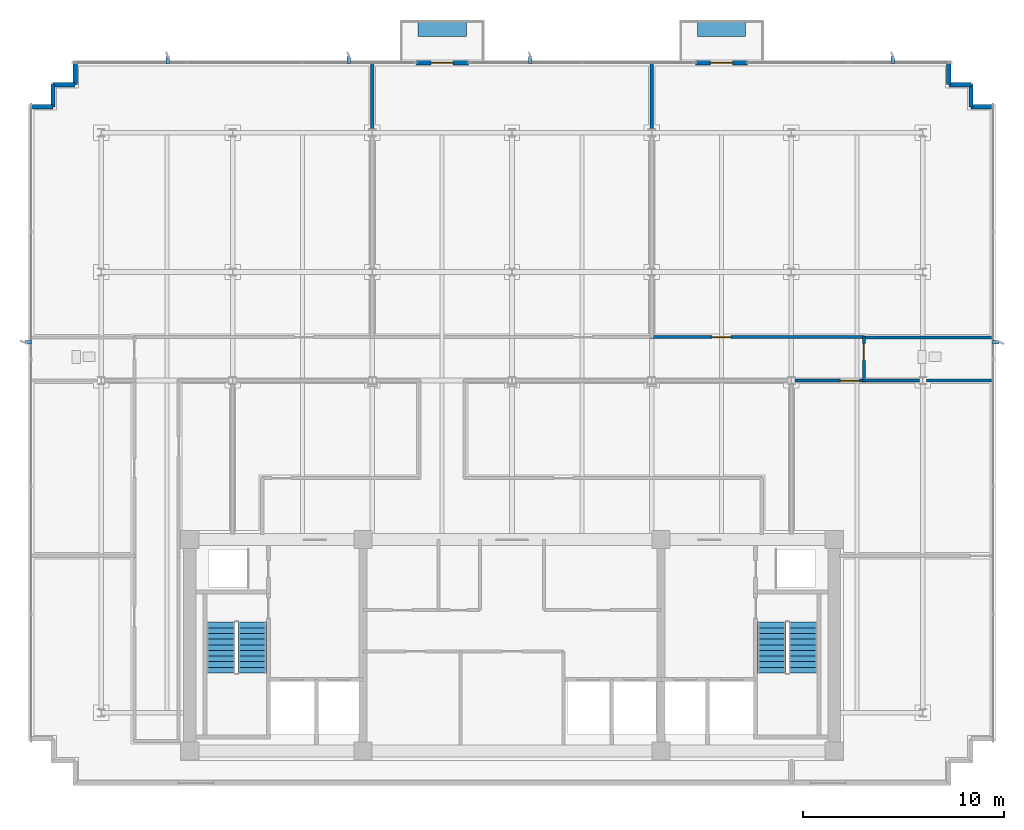
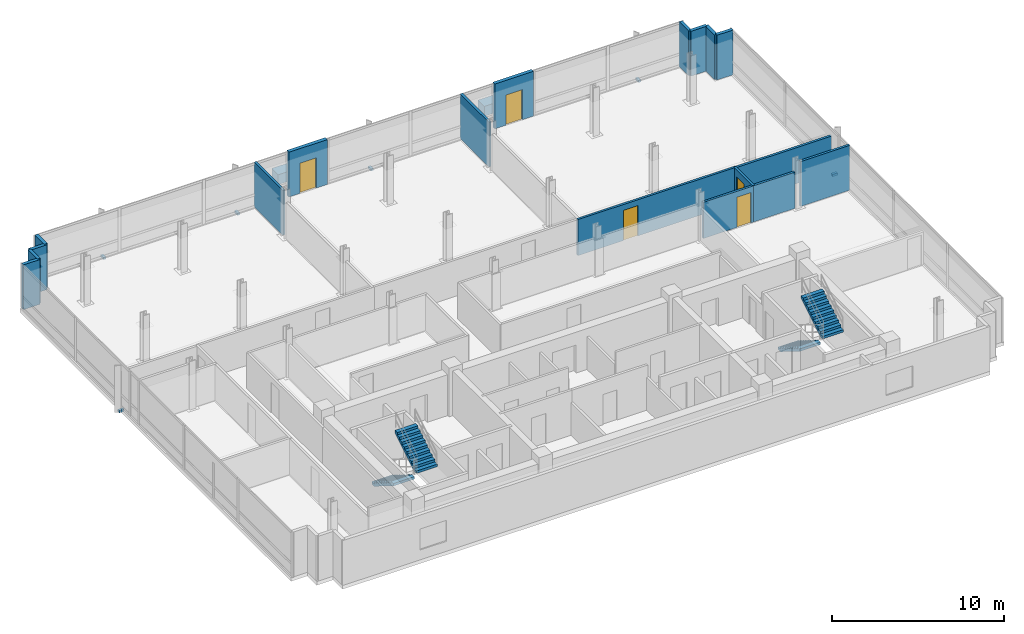
# One storey, part 10 of 15: 18 walls, 8 discrete accessories, 5 doors, 4 stair flights, 5 openings, 2 elements without a shape of their own.
"""IFC4 building model written with IfcOpenShell, lengths in metres."""

from ifc_helpers import new_model, si_unit, direction, frame, frame_2d, origin, origin_2d, place, context, subcontext, project, spatial, polyline, rectangle, outline, extrude, material, layer, layer_set, type_object, element, fill, aggregate, save


model = new_model("IFC4")

# Units and contexts
model_context = context("Model", 3, precision=1e-05, world=origin(), true_north=direction((0.0, 1.0)))
body_context = subcontext(model_context, "Body", "Model", "MODEL_VIEW")
ifc_project = project(units=[si_unit("LENGTHUNIT", "METRE"), si_unit("AREAUNIT", "SQUARE_METRE"), si_unit("VOLUMEUNIT", "CUBIC_METRE"), si_unit("PLANEANGLEUNIT", "RADIAN"), si_unit("MASSUNIT", "GRAM", prefix="KILO")], contexts=[model_context])

# Site, building, storey
site_placement = place(None, origin())
site = spatial("IfcSite", under=ifc_project, at=site_placement, CompositionType="ELEMENT")
building_placement = place(site_placement, origin())
building = spatial("IfcBuilding", under=site, at=building_placement, Name="Solmavex Isthmus Hotel", CompositionType="ELEMENT")
storey_placement = place(building_placement, frame((0.0, 0.0, 273.0)))
storey = spatial("IfcBuildingStorey", under=building, at=storey_placement, Name="L74", CompositionType="ELEMENT", Elevation=273.0)

# Wall, opening, door
ifc_material_1 = material(Name="Precast Concrete C40/50", Category="concrete")
ifc_layer_1 = layer(ifc_material_1, 0.25)
ifc_layer_set_1 = layer_set([ifc_layer_1], Name="Precast Concrete C40/50")
wall_type_1 = type_object("IfcWallType", Name="EW-TWR-250", PredefinedType="STANDARD", material=ifc_layer_set_1)
wall_1_placement = place(storey_placement, frame((-4.76806640625, 21.179931640625, 0.0), z_axis=(0.0, 0.0, 1.0), x_axis=(1.0, 0.0, 0.0)))
wall_1 = element("IfcWall", 1, at=wall_1_placement, inside=storey, type_object=wall_type_1, Name="Exterior Balcony Door Wall L74-2", PredefinedType="STANDARD", context=body_context, shape_type="SweptSolid", body=[
    extrude(rectangle(XDim=2.60009765625, YDim=0.239990234375, at=frame_2d((1.300048828125, 0.0))), origin(), (0.0, 0.0, 1.0), 3.18994140625),
])
opening_1_placement = place(wall_1_placement, frame((0.75, 0.0, 0.0)))
opening_1 = element("IfcOpeningElement", 2, at=opening_1_placement, cuts=wall_1, Name="Opening ED-02", PredefinedType="OPENING", context=body_context, shape_type="SweptSolid", body=[
    extrude(rectangle(XDim=1.10009765625, YDim=2.14990234375, at=frame_2d((0.550048828125, 1.074951171875))), frame((0.0, 0.1298828125, 0.0), z_axis=(0.0, -1.0, 0.0), x_axis=(1.0, 0.0, 0.0)), (0.0, 0.0, 1.0), 0.260009765625),
])
ifc_material_2 = material(Name="Aluminium alloy 6063-T6", Category="aluminium")
door_type_1 = type_object("IfcDoorType", Name="EDR-BALC-1100", OperationType="NOTDEFINED", PredefinedType="DOOR", material=ifc_material_2)
door_1_placement = place(opening_1_placement, origin())
door_1 = element("IfcDoor", 3, at=door_1_placement, inside=storey, type_object=door_type_1, Name="Balcony & Terrace Glazed Door L74-2", OperationType="SINGLE_SWING_RIGHT", OverallHeight=2.14990234375, OverallWidth=1.10009765625, PredefinedType="DOOR", context=body_context, shape_type="SweptSolid", body=[
    extrude(rectangle(XDim=1.10009765625, YDim=2.14990234375, at=frame_2d((0.550048828125, 1.074951171875))), frame((0.0, 0.02490234375, 0.0), z_axis=(0.0, -1.0, 0.0), x_axis=(1.0, 0.0, 0.0)), (0.0, 0.0, 1.0), 0.050048828125),
])
fill(opening_1, door_1)

wall_2_placement = place(storey_placement, frame((9.10400390625, 21.179931640625, 0.0), z_axis=(0.0, 0.0, 1.0), x_axis=(1.0, 0.0, 0.0)))
wall_2 = element("IfcWall", 4, at=wall_2_placement, inside=storey, type_object=wall_type_1, Name="Exterior Balcony Door Wall L74-3", PredefinedType="STANDARD", context=body_context, shape_type="SweptSolid", body=[
    extrude(rectangle(XDim=2.60009765625, YDim=0.239990234375, at=frame_2d((1.300048828125, 0.0))), origin(), (0.0, 0.0, 1.0), 3.18994140625),
])
opening_2_placement = place(wall_2_placement, frame((0.75, 0.0, 0.0)))
opening_2 = element("IfcOpeningElement", 5, at=opening_2_placement, cuts=wall_2, Name="Opening ED-02", PredefinedType="OPENING", context=body_context, shape_type="SweptSolid", body=[
    extrude(rectangle(XDim=1.10009765625, YDim=2.14990234375, at=frame_2d((0.550048828125, 1.074951171875))), frame((0.0, 0.1298828125, 0.0), z_axis=(0.0, -1.0, 0.0), x_axis=(1.0, 0.0, 0.0)), (0.0, 0.0, 1.0), 0.260009765625),
])
door_2_placement = place(opening_2_placement, origin())
door_2 = element("IfcDoor", 6, at=door_2_placement, inside=storey, type_object=door_type_1, Name="Balcony & Terrace Glazed Door L74-3", OperationType="SINGLE_SWING_LEFT", OverallHeight=2.14990234375, OverallWidth=1.10009765625, PredefinedType="DOOR", context=body_context, shape_type="SweptSolid", body=[
    extrude(rectangle(XDim=1.10009765625, YDim=2.14990234375, at=frame_2d((0.550048828125, 1.074951171875))), frame((0.0, 0.02490234375, 0.0), z_axis=(0.0, -1.0, 0.0), x_axis=(1.0, 0.0, 0.0)), (0.0, 0.0, 1.0), 0.050048828125),
])
fill(opening_2, door_2)

# Walls
wall_3_placement = place(storey_placement, frame((-23.889892578125, 18.989990234375, 0.0), z_axis=(0.0, 0.0, 1.0), x_axis=(1.0, 0.0, 0.0)))
element("IfcWall", 7, at=wall_3_placement, inside=storey, type_object=wall_type_1, Name="Serrated Corner Facade Panel L74-06", PredefinedType="STANDARD", context=body_context, shape_type="SweptSolid", body=[
    extrude(rectangle(XDim=1.099853515625, YDim=0.219970703125, at=frame_2d((0.5498046875, 0.0))), origin(), (0.0, 0.0, 1.0), 3.18994140625),
])
for number, where, z_axis, x_axis, name in (
    (8, (-22.7900390625, 18.989990234375, 0.0), (0.0, 0.0, 1.0), (0.0, 1.0, 0.0), "Serrated Corner Facade Panel L74-07"),
    (9, (-22.7900390625, 20.090087890625, 0.0), (0.0, 0.0, 1.0), (1.0, 0.0, 0.0), "Serrated Corner Facade Panel L74-08"),
):
    element("IfcWall", number, at=place(storey_placement, frame(where, z_axis=z_axis, x_axis=x_axis)), inside=storey, type_object=wall_type_1, Name=name, PredefinedType="STANDARD", context=body_context, shape_type="SweptSolid", body=[
        extrude(rectangle(XDim=1.10009765625, YDim=0.219970703125, at=frame_2d((0.550048828125, 0.0))), origin(), (0.0, 0.0, 1.0), 3.18994140625),
    ])
for number, where, z_axis, x_axis, name in (
    (10, (-21.68994140625, 20.090087890625, 0.0), (0.0, 0.0, 1.0), (0.0, 1.0, 0.0), "Serrated Corner Facade Panel L74-09"),
    (11, (21.68994140625, 21.18994140625, 0.0), (0.0, 0.0, 1.0), (0.0, -1.0, 0.0), "Serrated Corner Facade Panel L74-11"),
):
    element("IfcWall", number, at=place(storey_placement, frame(where, z_axis=z_axis, x_axis=x_axis)), inside=storey, type_object=wall_type_1, Name=name, PredefinedType="STANDARD", context=body_context, shape_type="SweptSolid", body=[
        extrude(rectangle(XDim=1.099853515625, YDim=0.219970703125, at=frame_2d((0.5498046875, 0.0))), origin(), (0.0, 0.0, 1.0), 3.18994140625),
    ])
for number, where, z_axis, x_axis, name in (
    (12, (21.68994140625, 20.090087890625, 0.0), (0.0, 0.0, 1.0), (1.0, 0.0, 0.0), "Serrated Corner Facade Panel L74-12"),
    (13, (22.7900390625, 20.090087890625, 0.0), (0.0, 0.0, 1.0), (0.0, -1.0, 0.0), "Serrated Corner Facade Panel L74-13"),
):
    element("IfcWall", number, at=place(storey_placement, frame(where, z_axis=z_axis, x_axis=x_axis)), inside=storey, type_object=wall_type_1, Name=name, PredefinedType="STANDARD", context=body_context, shape_type="SweptSolid", body=[
        extrude(rectangle(XDim=1.10009765625, YDim=0.219970703125, at=frame_2d((0.550048828125, 0.0))), origin(), (0.0, 0.0, 1.0), 3.18994140625),
    ])
wall_4_placement = place(storey_placement, frame((22.7900390625, 18.989990234375, 0.0), z_axis=(0.0, 0.0, 1.0), x_axis=(1.0, 0.0, 0.0)))
element("IfcWall", 14, at=wall_4_placement, inside=storey, type_object=wall_type_1, Name="Serrated Corner Facade Panel L74-14", PredefinedType="STANDARD", context=body_context, shape_type="SweptSolid", body=[
    extrude(rectangle(XDim=1.099853515625, YDim=0.219970703125, at=frame_2d((0.5498046875, 0.0))), origin(), (0.0, 0.0, 1.0), 3.18994140625),
])
ifc_material_3 = material(Name="Gypsum plasterboard lining", Category="gypsum")
ifc_layer_2 = layer(ifc_material_3, 0.159912109375)
ifc_layer_set_2 = layer_set([ifc_layer_2], Name="Gypsum plasterboard lining")
wall_type_2 = type_object("IfcWallType", Name="IW-COMP-160", PredefinedType="PARTITIONING", material=ifc_layer_set_2)
for number, where, z_axis, x_axis, name in (
    (15, (-6.93603515625, 21.219970703125, 0.0), (0.0, 0.0, 1.0), (0.0, -1.0, 0.0), "Interior Partition Wall W-L74-P029"),
    (16, (6.93603515625, 21.219970703125, 0.0), (0.0, 0.0, 1.0), (0.0, -1.0, 0.0), "Interior Partition Wall W-L74-P033"),
):
    element("IfcWall", number, at=place(storey_placement, frame(where, z_axis=z_axis, x_axis=x_axis)), inside=storey, type_object=wall_type_2, Name=name, PredefinedType="PARTITIONING", context=body_context, shape_type="SweptSolid", body=[
        extrude(rectangle(XDim=3.344970703125, YDim=0.159912109375, at=frame_2d((1.67236328125, 0.0))), origin(), (0.0, 0.0, 1.0), 3.18994140625),
    ])
wall_5_placement = place(storey_placement, frame((23.919921875, 7.530029296875, 0.0), z_axis=(0.0, 0.0, 1.0), x_axis=(-1.0, 0.0, 0.0)))
element("IfcWall", 17, at=wall_5_placement, inside=storey, type_object=wall_type_2, Name="Interior Partition Wall W-L74-P034", PredefinedType="PARTITIONING", context=body_context, shape_type="SweptSolid", body=[
    extrude(rectangle(XDim=6.488037109375, YDim=0.159912109375, at=frame_2d((3.244140625, 0.0))), origin(), (0.0, 0.0, 1.0), 2.5576171875),
])
wall_6_placement = place(storey_placement, frame((20.22509765625, 5.39990234375, 0.0), z_axis=(0.0, 0.0, 1.0), x_axis=(-1.0, 0.0, 0.0)))
element("IfcWall", 18, at=wall_6_placement, inside=storey, type_object=wall_type_2, Name="Interior Partition Wall W-L74-P037", PredefinedType="PARTITIONING", context=body_context, shape_type="SweptSolid", body=[
    extrude(rectangle(XDim=2.793212890625, YDim=0.159912109375, at=frame_2d((1.396484375, 0.0))), origin(), (0.0, 0.0, 1.0), 2.572265625),
])
wall_7_placement = place(storey_placement, frame((23.919921875, 5.39990234375, 0.0), z_axis=(0.0, 0.0, 1.0), x_axis=(-1.0, 0.0, 0.0)))
element("IfcWall", 19, at=wall_7_placement, inside=storey, type_object=wall_type_2, Name="Interior Partition Wall W-L74-P038", PredefinedType="PARTITIONING", context=body_context, shape_type="SweptSolid", body=[
    extrude(rectangle(XDim=3.344970703125, YDim=0.159912109375, at=frame_2d((1.67236328125, 0.0))), origin(), (0.0, 0.0, 1.0), 3.18994140625),
])

# Wall, opening, door
ifc_layer_3 = layer(ifc_material_3, 0.14990234375)
ifc_layer_set_3 = layer_set([ifc_layer_3], Name="Gypsum plasterboard lining")
wall_type_3 = type_object("IfcWallType", Name="IW-CORR-150", PredefinedType="PARTITIONING", material=ifc_layer_set_3)
wall_8_placement = place(storey_placement, frame((6.85400390625, 7.550048828125, 0.0), z_axis=(0.0, 0.0, 1.0), x_axis=(1.0, 0.0, 0.0)))
wall_8 = element("IfcWall", 20, at=wall_8_placement, inside=storey, type_object=wall_type_3, Name="Interior Partition Wall W-L74-P003", PredefinedType="PARTITIONING", context=body_context, shape_type="SweptSolid", body=[
    extrude(rectangle(XDim=10.657958984375, YDim=0.14990234375, at=frame_2d((5.3291015625, 0.0))), origin(), (0.0, 0.0, 1.0), 2.572265625),
])
opening_3_placement = place(wall_8_placement, frame((3.076904296875, 0.0, 0.0)))
opening_3 = element("IfcOpeningElement", 21, at=opening_3_placement, cuts=wall_8, Name="Opening ID-C095", PredefinedType="OPENING", context=body_context, shape_type="SweptSolid", body=[
    extrude(rectangle(XDim=0.949951171875, YDim=2.14990234375, at=frame_2d((0.47509765625, 1.074951171875))), frame((0.0, 0.0849609375, 0.0), z_axis=(0.0, -1.0, 0.0), x_axis=(1.0, 0.0, 0.0)), (0.0, 0.0, 1.0), 0.169921875),
])
ifc_material_4 = material(Name="Hardwood timber", Category="wood")
door_type_2 = type_object("IfcDoorType", Name="IDR-FD60-0950", OperationType="NOTDEFINED", PredefinedType="DOOR", material=ifc_material_4)
door_3_placement = place(opening_3_placement, origin())
door_3 = element("IfcDoor", 22, at=door_3_placement, inside=storey, type_object=door_type_2, Name="Corporate Briefing Office Door L74-03", OperationType="SINGLE_SWING_LEFT", OverallHeight=2.14990234375, OverallWidth=0.949951171875, PredefinedType="DOOR", context=body_context, shape_type="SweptSolid", body=[
    extrude(rectangle(XDim=0.949951171875, YDim=2.14990234375, at=frame_2d((0.47509765625, 1.074951171875))), frame((0.0, 0.02490234375, 0.0), z_axis=(0.0, -1.0, 0.0), x_axis=(1.0, 0.0, 0.0)), (0.0, 0.0, 1.0), 0.050048828125),
])
fill(opening_3, door_3)

wall_9_placement = place(storey_placement, frame((17.471923828125, 7.570068359375, 0.0), z_axis=(0.0, 0.0, 1.0), x_axis=(0.0, -1.0, 0.0)))
wall_9 = element("IfcWall", 23, at=wall_9_placement, inside=storey, type_object=wall_type_3, Name="Interior Partition Wall W-L74-P005", PredefinedType="PARTITIONING", context=body_context, shape_type="SweptSolid", body=[
    extrude(rectangle(XDim=2.2099609375, YDim=0.14990234375, at=frame_2d((1.10498046875, 0.0))), origin(), (0.0, 0.0, 1.0), 2.572265625),
])
opening_4_placement = place(wall_9_placement, frame((0.322265625, 0.0, 0.0)))
opening_4 = element("IfcOpeningElement", 24, at=opening_4_placement, cuts=wall_9, Name="Opening ID-R085", PredefinedType="OPENING", context=body_context, shape_type="SweptSolid", body=[
    extrude(rectangle(XDim=0.85009765625, YDim=2.050048828125, at=frame_2d((0.425048828125, 1.02490234375))), frame((0.0, 0.0849609375, 0.0), z_axis=(0.0, -1.0, 0.0), x_axis=(1.0, 0.0, 0.0)), (0.0, 0.0, 1.0), 0.169921875),
])
ifc_material_5 = material(Name="Steel ASTM A500 Grade C", Category="steel")
door_type_3 = type_object("IfcDoorType", Name="IDR-FD60-0850", OperationType="NOTDEFINED", PredefinedType="DOOR", material=ifc_material_5)
door_4_placement = place(opening_4_placement, frame((0.85009765625, 0.0, 0.0), z_axis=(0.0, 0.0, 1.0), x_axis=(-1.0, 0.0, 0.0)))
door_4 = element("IfcDoor", 25, at=door_4_placement, inside=storey, type_object=door_type_3, Name="Public Restroom WC Door L74-05", OperationType="SINGLE_SWING_LEFT", OverallHeight=2.050048828125, OverallWidth=0.85009765625, PredefinedType="DOOR", context=body_context, shape_type="SweptSolid", body=[
    extrude(rectangle(XDim=0.85009765625, YDim=2.050048828125, at=frame_2d((0.425048828125, 1.02490234375))), frame((0.0, 0.02490234375, 0.0), z_axis=(0.0, -1.0, 0.0), x_axis=(1.0, 0.0, 0.0)), (0.0, 0.0, 1.0), 0.050048828125),
])
fill(opening_4, door_4)

wall_10_placement = place(storey_placement, frame((17.511962890625, 5.39990234375, 0.0), z_axis=(0.0, 0.0, 1.0), x_axis=(-1.0, 0.0, 0.0)))
wall_10 = element("IfcWall", 26, at=wall_10_placement, inside=storey, type_object=wall_type_3, Name="Interior Partition Wall W-L74-P023", PredefinedType="PARTITIONING", context=body_context, shape_type="SweptSolid", body=[
    extrude(rectangle(XDim=3.46484375, YDim=0.14990234375, at=frame_2d((1.732421875, 0.0))), origin(), (0.0, 0.0, 1.0), 2.572265625),
])
opening_5_placement = place(wall_10_placement, frame((0.26220703125, 0.0, 0.0)))
opening_5 = element("IfcOpeningElement", 27, at=opening_5_placement, cuts=wall_10, Name="Opening ID-C095", PredefinedType="OPENING", context=body_context, shape_type="SweptSolid", body=[
    extrude(rectangle(XDim=0.949951171875, YDim=2.14990234375, at=frame_2d((0.47509765625, 1.074951171875))), frame((0.0, 0.0849609375, 0.0), z_axis=(0.0, -1.0, 0.0), x_axis=(1.0, 0.0, 0.0)), (0.0, 0.0, 1.0), 0.169921875),
])
door_5_placement = place(opening_5_placement, origin())
door_5 = element("IfcDoor", 28, at=door_5_placement, inside=storey, type_object=door_type_2, Name="Catering Servery Kitchen Door L74-10", OperationType="SINGLE_SWING_RIGHT", OverallHeight=2.14990234375, OverallWidth=0.949951171875, PredefinedType="DOOR", context=body_context, shape_type="SweptSolid", body=[
    extrude(rectangle(XDim=0.949951171875, YDim=2.14990234375, at=frame_2d((0.47509765625, 1.074951171875))), frame((0.0, 0.02490234375, 0.0), z_axis=(0.0, -1.0, 0.0), x_axis=(1.0, 0.0, 0.0)), (0.0, 0.0, 1.0), 0.050048828125),
])
fill(opening_5, door_5)

# Stair, stair flights
ifc_material_6 = material(Name="Concrete C40/50", Category="concrete")
stair_type_1 = type_object("IfcStairType", Name="STR-ST-1", PredefinedType="HALF_TURN_STAIR", material=ifc_material_6)
stair_1_placement = place(storey_placement, origin())
stair_1 = element("IfcStair", 29, at=stair_1_placement, inside=storey, type_object=stair_type_1, Name="L74 Protected Exit Stair ST-1", PredefinedType="HALF_TURN_STAIR")
stair_flight_type_1 = type_object("IfcStairFlightType", Name="SFL-ST-1", PredefinedType="STRAIGHT", material=ifc_material_6)
stair_flight_1_placement = place(storey_placement, frame((-14.449951171875, -6.60009765625, 0.0), z_axis=(0.0, 0.0, 1.0), x_axis=(0.0, -1.0, 0.0)))
stair_flight_1 = element("IfcStairFlight", 30, at=stair_flight_1_placement, type_object=stair_flight_type_1, Name="ST-1 flight 1", NumberOfRisers=10, NumberOfTreads=9, PredefinedType="STRAIGHT", RiserHeight=0.1725, TreadLength=0.28, context=body_context, shape_type="SweptSolid", body=[
    extrude(outline(polyline([(0.0, 0.0), (0.0, 0.172607421875), (0.280029296875, 0.172607421875), (0.280029296875, 0.344970703125), (0.56005859375, 0.344970703125), (0.56005859375, 0.517578125), (0.840087890625, 0.517578125), (0.840087890625, 0.68994140625), (1.1201171875, 0.68994140625), (1.1201171875, 0.862548828125), (1.39990234375, 0.862548828125), (1.39990234375, 1.034912109375), (1.679931640625, 1.034912109375), (1.679931640625, 1.20751953125), (1.9599609375, 1.20751953125), (1.9599609375, 1.3798828125), (2.239990234375, 1.3798828125), (2.239990234375, 1.552490234375), (2.52001953125, 1.552490234375), (2.52001953125, 1.72509765625), (2.52001953125, 1.37646484375), (0.285888671875, 0.0), (0.0, 0.0)])), frame((0.0, 0.699951171875, 0.0), z_axis=(0.0, -1.0, 0.0), x_axis=(1.0, 0.0, 0.0)), (0.0, 0.0, 1.0), 1.39990234375),
])
stair_flight_2_placement = place(storey_placement, frame((-12.89990234375, -9.1201171875, 1.72509765625), z_axis=(0.0, 0.0, 1.0), x_axis=(0.0, 1.0, 0.0)))
stair_flight_2 = element("IfcStairFlight", 31, at=stair_flight_2_placement, type_object=stair_flight_type_1, Name="ST-1 flight 2", NumberOfRisers=10, NumberOfTreads=9, PredefinedType="STRAIGHT", RiserHeight=0.1725, TreadLength=0.28, context=body_context, shape_type="SweptSolid", body=[
    extrude(outline(polyline([(0.0, 0.0), (0.0, 0.172607421875), (0.280029296875, 0.172607421875), (0.280029296875, 0.344970703125), (0.56005859375, 0.344970703125), (0.56005859375, 0.517578125), (0.840087890625, 0.517578125), (0.840087890625, 0.68994140625), (1.1201171875, 0.68994140625), (1.1201171875, 0.862548828125), (1.39990234375, 0.862548828125), (1.39990234375, 1.034912109375), (1.679931640625, 1.034912109375), (1.679931640625, 1.20751953125), (1.9599609375, 1.20751953125), (1.9599609375, 1.3798828125), (2.239990234375, 1.3798828125), (2.239990234375, 1.552490234375), (2.52001953125, 1.552490234375), (2.52001953125, 1.72509765625), (2.52001953125, 1.37646484375), (0.285888671875, 0.0), (0.0, 0.0)])), frame((0.0, 0.699951171875, 0.0), z_axis=(0.0, -1.0, 0.0), x_axis=(1.0, 0.0, 0.0)), (0.0, 0.0, 1.0), 1.39990234375),
])
aggregate(stair_1, [stair_flight_1, stair_flight_2])

stair_type_2 = type_object("IfcStairType", Name="STR-ST-2", PredefinedType="HALF_TURN_STAIR", material=ifc_material_6)
stair_2_placement = place(storey_placement, origin())
stair_2 = element("IfcStair", 32, at=stair_2_placement, inside=storey, type_object=stair_type_2, Name="L74 Protected Exit Stair ST-2", PredefinedType="HALF_TURN_STAIR")
stair_flight_type_2 = type_object("IfcStairFlightType", Name="SFL-ST-2", PredefinedType="STRAIGHT", material=ifc_material_6)
stair_flight_3_placement = place(storey_placement, frame((12.89990234375, -6.60009765625, 0.0), z_axis=(0.0, 0.0, 1.0), x_axis=(0.0, -1.0, 0.0)))
stair_flight_3 = element("IfcStairFlight", 33, at=stair_flight_3_placement, type_object=stair_flight_type_2, Name="ST-2 flight 1", NumberOfRisers=10, NumberOfTreads=9, PredefinedType="STRAIGHT", RiserHeight=0.1725, TreadLength=0.28, context=body_context, shape_type="SweptSolid", body=[
    extrude(outline(polyline([(0.0, 0.0), (0.0, 0.172607421875), (0.280029296875, 0.172607421875), (0.280029296875, 0.344970703125), (0.56005859375, 0.344970703125), (0.56005859375, 0.517578125), (0.840087890625, 0.517578125), (0.840087890625, 0.68994140625), (1.1201171875, 0.68994140625), (1.1201171875, 0.862548828125), (1.39990234375, 0.862548828125), (1.39990234375, 1.034912109375), (1.679931640625, 1.034912109375), (1.679931640625, 1.20751953125), (1.9599609375, 1.20751953125), (1.9599609375, 1.3798828125), (2.239990234375, 1.3798828125), (2.239990234375, 1.552490234375), (2.52001953125, 1.552490234375), (2.52001953125, 1.72509765625), (2.52001953125, 1.37646484375), (0.285888671875, 0.0), (0.0, 0.0)])), frame((0.0, 0.699951171875, 0.0), z_axis=(0.0, -1.0, 0.0), x_axis=(1.0, 0.0, 0.0)), (0.0, 0.0, 1.0), 1.39990234375),
])
stair_flight_4_placement = place(storey_placement, frame((14.449951171875, -9.1201171875, 1.72509765625), z_axis=(0.0, 0.0, 1.0), x_axis=(0.0, 1.0, 0.0)))
stair_flight_4 = element("IfcStairFlight", 34, at=stair_flight_4_placement, type_object=stair_flight_type_2, Name="ST-2 flight 2", NumberOfRisers=10, NumberOfTreads=9, PredefinedType="STRAIGHT", RiserHeight=0.1725, TreadLength=0.28, context=body_context, shape_type="SweptSolid", body=[
    extrude(outline(polyline([(0.0, 0.0), (0.0, 0.172607421875), (0.280029296875, 0.172607421875), (0.280029296875, 0.344970703125), (0.56005859375, 0.344970703125), (0.56005859375, 0.517578125), (0.840087890625, 0.517578125), (0.840087890625, 0.68994140625), (1.1201171875, 0.68994140625), (1.1201171875, 0.862548828125), (1.39990234375, 0.862548828125), (1.39990234375, 1.034912109375), (1.679931640625, 1.034912109375), (1.679931640625, 1.20751953125), (1.9599609375, 1.20751953125), (1.9599609375, 1.3798828125), (2.239990234375, 1.3798828125), (2.239990234375, 1.552490234375), (2.52001953125, 1.552490234375), (2.52001953125, 1.72509765625), (2.52001953125, 1.37646484375), (0.285888671875, 0.0), (0.0, 0.0)])), frame((0.0, 0.699951171875, 0.0), z_axis=(0.0, -1.0, 0.0), x_axis=(1.0, 0.0, 0.0)), (0.0, 0.0, 1.0), 1.39990234375),
])
aggregate(stair_2, [stair_flight_3, stair_flight_4])

# Discrete accessories
ifc_material_7 = material(Name="Steel ASTM A572 Grade 50", Category="steel")
discrete_accessory_type_1 = type_object("IfcDiscreteAccessoryType", Name="ACC-BRK-FIN", PredefinedType="BRACKET", material=ifc_material_7)
for number, where, z_axis, x_axis, name in (
    (35, (-17.10009765625, 21.320068359375, -0.169921875), (0.0, 0.0, 1.0), (0.0, 1.0, 0.0), "Facade Fin Support Bracket L74-N1"),
    (36, (-8.10009765625, 21.320068359375, -0.169921875), (0.0, 0.0, 1.0), (0.0, 1.0, 0.0), "Facade Fin Support Bracket L74-N2"),
    (37, (0.89990234375, 21.320068359375, -0.169921875), (0.0, 0.0, 1.0), (0.0, 1.0, 0.0), "Facade Fin Support Bracket L74-N3"),
    (38, (18.89990234375, 21.320068359375, -0.169921875), (0.0, 0.0, 1.0), (0.0, 1.0, 0.0), "Facade Fin Support Bracket L74-N4"),
    (39, (-24.02001953125, 7.300048828125, -0.169921875), (0.0, 0.0, 1.0), (-1.0, 0.0, 0.0), "Facade Fin Support Bracket L74-W1"),
    (40, (24.02001953125, 7.300048828125, -0.169921875), (0.0, 0.0, 1.0), (1.0, 0.0, 0.0), "Facade Fin Support Bracket L74-E1"),
):
    element("IfcDiscreteAccessory", number, at=place(storey_placement, frame(where, z_axis=z_axis, x_axis=x_axis)), inside=storey, type_object=discrete_accessory_type_1, Name=name, PredefinedType="BRACKET", context=body_context, shape_type="SweptSolid", body=[
        extrude(rectangle(XDim=0.340087890625, YDim=0.179931640625, at=origin_2d()), origin(), (0.0, 0.0, 1.0), 0.159912109375),
    ])
discrete_accessory_type_2 = type_object("IfcDiscreteAccessoryType", Name="ACC-PLN-BALC", PredefinedType="USERDEFINED", material=ifc_material_1)
for number, where, z_axis, x_axis, name in (
    (41, (-3.468017578125, 22.85009765625, 0.0), (0.0, 0.0, 1.0), (1.0, 0.0, 0.0), "Tree-Balcony Architectural Planter L74-B1"),
    (42, (10.404052734375, 22.85009765625, 0.0), (0.0, 0.0, 1.0), (1.0, 0.0, 0.0), "Tree-Balcony Architectural Planter L74-B2"),
):
    element("IfcDiscreteAccessory", number, at=place(storey_placement, frame(where, z_axis=z_axis, x_axis=x_axis)), inside=storey, type_object=discrete_accessory_type_2, Name=name, ObjectType="PLANTER", PredefinedType="USERDEFINED", context=body_context, shape_type="SweptSolid", body=[
        extrude(rectangle(XDim=2.39990234375, YDim=0.75, at=origin_2d()), origin(), (0.0, 0.0, 1.0), 0.699951171875),
    ])

save(model, "model.ifc")
